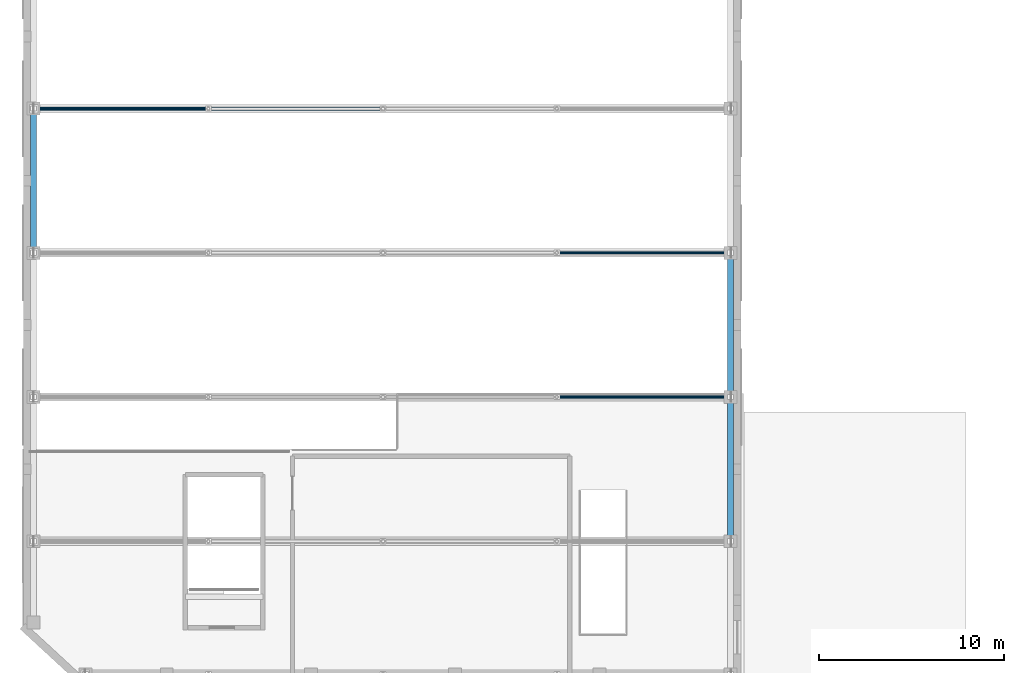
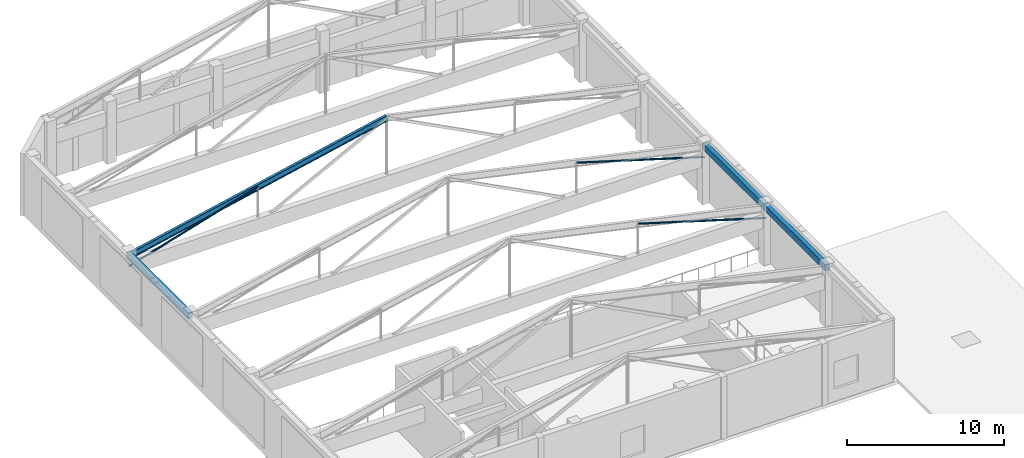
# One storey, part 31 of 105: 4 beams, 3 members.
"""IFC4 building model written with IfcOpenShell, lengths in metres."""

from ifc_helpers import new_model, si_unit, direction, frame, origin, origin_2d, place, context, subcontext, project, spatial, rectangle, hollow_circle, i_section, extrude, material, material_profile, profile_set, type_object, element, save


model = new_model("IFC4")

# Units and contexts
model_context = context("Model", 3, precision=1e-05, world=origin(), true_north=direction((0.0, 1.0)))
body_context = subcontext(model_context, "Body", "Model", "MODEL_VIEW")
ifc_project = project(units=[si_unit("LENGTHUNIT", "METRE"), si_unit("AREAUNIT", "SQUARE_METRE"), si_unit("VOLUMEUNIT", "CUBIC_METRE"), si_unit("PLANEANGLEUNIT", "RADIAN"), si_unit("MASSUNIT", "GRAM", prefix="KILO")], contexts=[model_context])

# Site, building, storey
site_placement = place(None, origin())
site = spatial("IfcSite", under=ifc_project, at=site_placement, CompositionType="ELEMENT")
building_placement = place(site_placement, origin())
building = spatial("IfcBuilding", under=site, at=building_placement, Name="Pelvatis Terrace Science Centre", CompositionType="ELEMENT")
storey_placement = place(building_placement, frame((0.0, 0.0, 10.199951171875)))
storey = spatial("IfcBuildingStorey", under=building, at=storey_placement, Name="L02", CompositionType="ELEMENT", Elevation=10.199951171875)

# Beams
ifc_material_1 = material(Name="Concrete C35/45", Category="concrete")
ifc_material_profile_1 = material_profile(ifc_material_1, rectangle(XDim=0.320068359375, YDim=0.47998046875, at=origin_2d()), Name="RC-BM 320x480")
ifc_profile_set_1 = profile_set([ifc_material_profile_1], Name="Concrete C35/45")
beam_type_1 = type_object("IfcBeamType", Name="BM-RC-320x480", PredefinedType="BEAM", material=ifc_profile_set_1)
beam_1_placement = place(storey_placement, frame((8.39990234375, 93.60009765625, 4.300048828125), z_axis=(0.0, 1.0, 0.0), x_axis=(-1.0, 0.0, 0.0)))
element("IfcBeam", 1, at=beam_1_placement, inside=storey, type_object=beam_type_1, Name="Beam BM-L02-2884", PredefinedType="BEAM", context=body_context, shape_type="SweptSolid", body=[
    extrude(rectangle(XDim=0.320068359375, YDim=0.47998046875, at=origin_2d()), origin(), (0.0, 0.0, 1.0), 7.7998046875),
])
for number, where, z_axis, x_axis, name in (
    (2, (46.10009765625, 78.0, 4.300048828125), (0.0, 1.0, 0.0), (-1.0, 0.0, 0.0), "Beam BM-L02-2888"),
    (3, (46.10009765625, 85.800048828125, 4.300048828125), (0.0, 1.0, 0.0), (-1.0, 0.0, 0.0), "Beam BM-L02-2889"),
):
    element("IfcBeam", number, at=place(storey_placement, frame(where, z_axis=z_axis, x_axis=x_axis)), inside=storey, type_object=beam_type_1, Name=name, PredefinedType="BEAM", context=body_context, shape_type="SweptSolid", body=[
        extrude(rectangle(XDim=0.320068359375, YDim=0.47998046875, at=origin_2d()), origin(), (0.0, 0.0, 1.0), 7.800048828125),
    ])
ifc_material_2 = material(Name="Structural steel S355", Category="steel")
ifc_material_profile_2 = material_profile(ifc_material_2, i_section(OverallWidth=0.19189453125, OverallDepth=0.462890625, WebThickness=0.010498046875, FlangeThickness=0.017578125, FilletRadius=0.012939453125, at=origin_2d()), Name="W460x89")
ifc_profile_set_2 = profile_set([ifc_material_profile_2], Name="Structural steel S355")
beam_type_2 = type_object("IfcBeamType", Name="BM-STL-W460x89", PredefinedType="BEAM", material=ifc_profile_set_2)
beam_2_placement = place(storey_placement, frame((8.39990234375, 101.39990234375, 4.199951171875), z_axis=(0.977268898486, 0.0, 0.212003537831), x_axis=(0.0, 1.0, 0.0)))
element("IfcBeam", 4, at=beam_2_placement, inside=storey, type_object=beam_type_2, Name="Theatre roof truss 5 west top girder", PredefinedType="BEAM", context=body_context, shape_type="SweptSolid", body=[
    extrude(i_section(OverallWidth=0.19189453125, OverallDepth=0.462890625, WebThickness=0.010498046875, FlangeThickness=0.017578125, FilletRadius=0.012939453125, at=origin_2d()), origin(), (0.0, 0.0, 1.0), 19.33984375),
])

# Members
ifc_material_3 = material(Name="Structural steel S355", Category="steel")
ifc_material_profile_3 = material_profile(ifc_material_3, hollow_circle(Radius=0.06982421875, WallThickness=0.0048828125, at=origin_2d()), Name="CHS 139.7x5.0")
ifc_profile_set_3 = profile_set([ifc_material_profile_3], Name="Structural steel S355")
member_type = type_object("IfcMemberType", Name="MEM-BRC-CHS140", PredefinedType="BRACE", material=ifc_profile_set_3)
for number, where, z_axis, x_axis, name in (
    (5, (46.10009765625, 85.800048828125, 3.400146484375), (-0.95698697829, 0.0, 0.290130872856), (0.0, -1.0, 0.0), "Theatre truss 3 web 5"),
    (6, (46.10009765625, 93.60009765625, 3.400146484375), (-0.95698697829, 0.0, 0.290130872856), (0.0, -1.0, 0.0), "Theatre truss 4 web 5"),
):
    element("IfcMember", number, at=place(storey_placement, frame(where, z_axis=z_axis, x_axis=x_axis)), inside=storey, type_object=member_type, Name=name, PredefinedType="BRACE", context=body_context, shape_type="SweptSolid", body=[
        extrude(hollow_circle(Radius=0.06982421875, WallThickness=0.0048828125, at=origin_2d()), origin(), (0.0, 0.0, 1.0), 9.82275390625),
    ])
member_placement = place(storey_placement, frame((8.39990234375, 101.39990234375, 3.400146484375), z_axis=(0.95741275829, 0.0, 0.288722722112), x_axis=(0.0, 1.0, 0.0)))
element("IfcMember", 7, at=member_placement, inside=storey, type_object=member_type, Name="Theatre truss 5 web 3", PredefinedType="BRACE", context=body_context, shape_type="SweptSolid", body=[
    extrude(hollow_circle(Radius=0.06982421875, WallThickness=0.0048828125, at=origin_2d()), origin(), (0.0, 0.0, 1.0), 9.87060546875),
])

save(model, "model.ifc")
